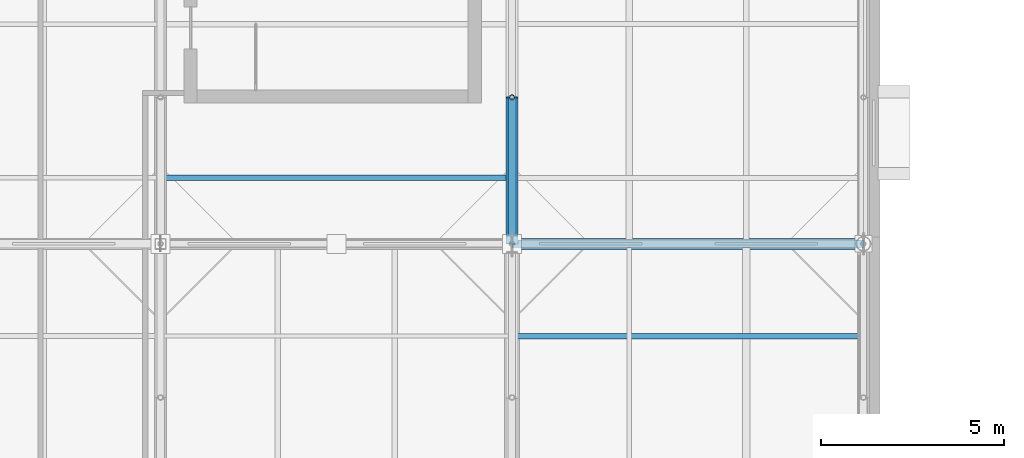
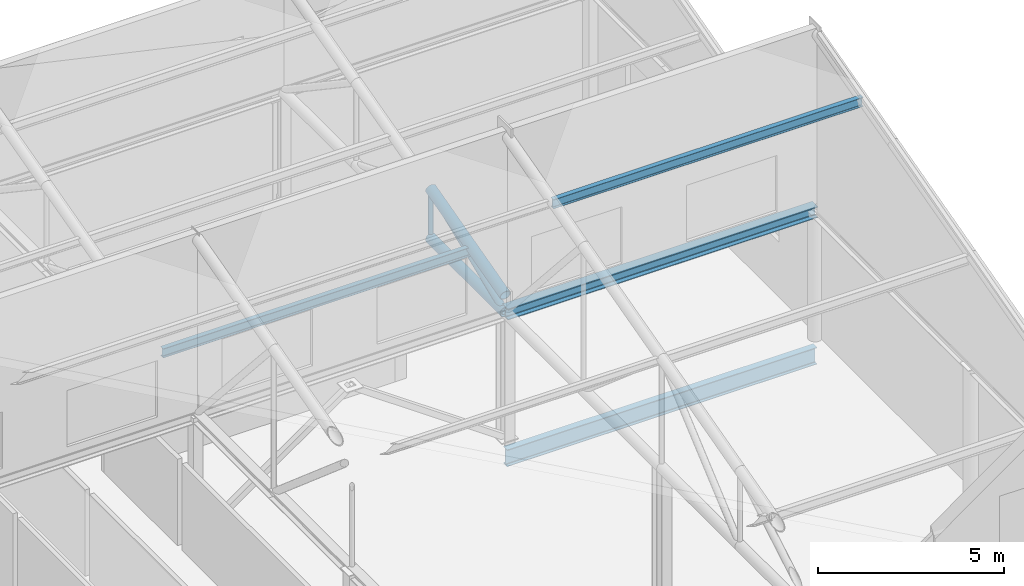
# One storey, part 53 of 89: 6 members, 2 beams.
"""IFC4 building model written with IfcOpenShell, lengths in metres."""

from ifc_helpers import new_model, si_unit, direction, frame, origin, origin_2d, place, context, subcontext, project, spatial, hollow_circle, i_section, extrude, material, material_profile, profile_set, type_object, element, save


model = new_model("IFC4")

# Units and contexts
model_context = context("Model", 3, precision=1e-05, world=origin(), true_north=direction((0.0, 1.0)))
body_context = subcontext(model_context, "Body", "Model", "MODEL_VIEW")
ifc_project = project(units=[si_unit("LENGTHUNIT", "METRE"), si_unit("AREAUNIT", "SQUARE_METRE"), si_unit("VOLUMEUNIT", "CUBIC_METRE"), si_unit("PLANEANGLEUNIT", "RADIAN"), si_unit("MASSUNIT", "GRAM", prefix="KILO")], contexts=[model_context])

# Site, building, storey
site_placement = place(None, origin())
site = spatial("IfcSite", under=ifc_project, at=site_placement, CompositionType="ELEMENT")
building_placement = place(site_placement, origin())
building = spatial("IfcBuilding", under=site, at=building_placement, Name="Zereglee Splitstone Museum", CompositionType="ELEMENT")
storey_placement = place(building_placement, frame((0.0, 0.0, 21.300048828125)))
storey = spatial("IfcBuildingStorey", under=building, at=storey_placement, Name="L04", CompositionType="ELEMENT", Elevation=21.300048828125)

# Members
ifc_material_1 = material(Name="Steel S355J2H", Category="steel")
ifc_material_profile_1 = material_profile(ifc_material_1, hollow_circle(Radius=0.109619140625, WallThickness=0.010009765625, at=origin_2d()), Name="CHS 219.1x10")
ifc_profile_set_1 = profile_set([ifc_material_profile_1], Name="Steel S355J2H")
member_type_1 = type_object("IfcMemberType", Name="TB-03", PredefinedType="BRACE", material=ifc_profile_set_1)
member_1_placement = place(storey_placement, frame((135.60009765625, 38.39990234375, 4.199951171875), z_axis=(0.0, 0.927136001435, 0.374725012299), x_axis=(-1.0, 0.0, 0.0)))
element("IfcMember", 1, at=member_1_placement, inside=storey, type_object=member_type_1, Name="Roof Truss ST-07 Diagonal 3.1", PredefinedType="BRACE", context=body_context, shape_type="SweptSolid", body=[
    extrude(hollow_circle(Radius=0.109619140625, WallThickness=0.010009765625, at=origin_2d()), origin(), (0.0, 0.0, 1.0), 4.314453125),
])
ifc_material_profile_2 = material_profile(ifc_material_1, hollow_circle(Radius=0.161865234375, WallThickness=0.01611328125, at=origin_2d()), Name="CHS 323.9x16")
ifc_profile_set_2 = profile_set([ifc_material_profile_2], Name="Steel S355J2H")
member_type_2 = type_object("IfcMemberType", Name="TC-05", PredefinedType="CHORD", material=ifc_profile_set_2)
member_2_placement = place(storey_placement, frame((135.60009765625, 38.39990234375, 4.199951171875), z_axis=(0.0, 1.0, 0.0), x_axis=(-1.0, 0.0, 0.0)))
element("IfcMember", 2, at=member_2_placement, inside=storey, type_object=member_type_2, Name="Roof Truss ST-07 Bottom Chord 3.1", PredefinedType="CHORD", context=body_context, shape_type="SweptSolid", body=[
    extrude(hollow_circle(Radius=0.161865234375, WallThickness=0.01611328125, at=origin_2d()), origin(), (0.0, 0.0, 1.0), 4.0),
])
member_3_placement = place(storey_placement, frame((135.60009765625, 38.39990234375, 4.75), z_axis=(0.0, 0.966235918422, 0.257658979955), x_axis=(-1.0, 0.0, 0.0)))
element("IfcMember", 3, at=member_3_placement, inside=storey, type_object=member_type_2, Name="Roof Truss ST-07 Top Chord 3.1", PredefinedType="CHORD", context=body_context, shape_type="SweptSolid", body=[
    extrude(hollow_circle(Radius=0.161865234375, WallThickness=0.01611328125, at=origin_2d()), origin(), (0.0, 0.0, 1.0), 4.139892578125),
])

# Beams
ifc_material_2 = material(Name="Steel S355J2", Category="steel")
ifc_material_profile_3 = material_profile(ifc_material_2, i_section(OverallWidth=0.300048828125, OverallDepth=0.360107421875, WebThickness=0.012451171875, FlangeThickness=0.0224609375, FilletRadius=0.027099609375, at=origin_2d()), Name="HE 360 B")
ifc_profile_set_3 = profile_set([ifc_material_profile_3], Name="Steel S355J2")
beam_type_1 = type_object("IfcBeamType", Name="BG-14", PredefinedType="BEAM", material=ifc_profile_set_3)
beam_1_placement = place(storey_placement, frame((135.60009765625, 38.39990234375, 4.199951171875), z_axis=(1.0, 0.0, 0.0), x_axis=(0.0, 1.0, 0.0)))
element("IfcBeam", 4, at=beam_1_placement, inside=storey, type_object=beam_type_1, Name="Sawtooth Monitor Sill Beam B7-S2", PredefinedType="BEAM", context=body_context, shape_type="SweptSolid", body=[
    extrude(i_section(OverallWidth=0.300048828125, OverallDepth=0.360107421875, WebThickness=0.012451171875, FlangeThickness=0.0224609375, FilletRadius=0.027099609375, at=origin_2d()), origin(), (0.0, 0.0, 1.0), 9.599853515625),
])
ifc_material_profile_4 = material_profile(ifc_material_2, i_section(OverallWidth=0.2099609375, OverallDepth=0.550048828125, WebThickness=0.010986328125, FlangeThickness=0.01708984375, FilletRadius=0.02392578125, at=origin_2d()), Name="IPE 550")
ifc_profile_set_4 = profile_set([ifc_material_profile_4], Name="Steel S355J2")
beam_type_2 = type_object("IfcBeamType", Name="BG-16", PredefinedType="BEAM", material=ifc_profile_set_4)
beam_2_placement = place(storey_placement, frame((135.60009765625, 38.39990234375, -0.53515625), z_axis=(1.0, 0.0, 0.0), x_axis=(0.0, 1.0, 0.0)))
element("IfcBeam", 5, at=beam_2_placement, inside=storey, type_object=beam_type_2, Name="Primary Girder L04 E (135.6-145.2)", PredefinedType="BEAM", context=body_context, shape_type="SweptSolid", body=[
    extrude(i_section(OverallWidth=0.2099609375, OverallDepth=0.550048828125, WebThickness=0.010986328125, FlangeThickness=0.01708984375, FilletRadius=0.02392578125, at=origin_2d()), origin(), (0.0, 0.0, 1.0), 9.599853515625),
])

# Members
ifc_material_profile_5 = material_profile(ifc_material_1, hollow_circle(Radius=0.06982421875, WallThickness=0.008056640625, at=origin_2d()), Name="CHS 139.7x8")
ifc_profile_set_5 = profile_set([ifc_material_profile_5], Name="Steel S355J2H")
member_type_3 = type_object("IfcMemberType", Name="TP-03", PredefinedType="POST", material=ifc_profile_set_5)
member_4_placement = place(storey_placement, frame((135.60009765625, 42.39990234375, 4.199951171875), z_axis=(0.0, 0.0, 1.0), x_axis=(1.0, 0.0, 0.0)))
element("IfcMember", 6, at=member_4_placement, inside=storey, type_object=member_type_3, Name="Roof Truss ST-07 Post 3.1", PredefinedType="POST", context=body_context, shape_type="SweptSolid", body=[
    extrude(hollow_circle(Radius=0.06982421875, WallThickness=0.008056640625, at=origin_2d()), origin(), (0.0, 0.0, 1.0), 1.61669921875),
])
ifc_material_profile_6 = material_profile(ifc_material_2, i_section(OverallWidth=0.14990234375, OverallDepth=0.300048828125, WebThickness=0.007080078125, FlangeThickness=0.0107421875, FilletRadius=0.014892578125, at=origin_2d()), Name="IPE 300")
ifc_profile_set_6 = profile_set([ifc_material_profile_6], Name="Steel S355J2")
member_type_4 = type_object("IfcMemberType", Name="PR-01", PredefinedType="PURLIN", material=ifc_profile_set_6)
member_5_placement = place(storey_placement, frame((126.0, 40.199951171875, 5.153076171875), z_axis=(1.0, 0.0, 0.0), x_axis=(0.0, 1.0, 0.0)))
element("IfcMember", 7, at=member_5_placement, inside=storey, type_object=member_type_4, Name="Sawtooth Roof Purlin B6-S3-1", PredefinedType="PURLIN", context=body_context, shape_type="SweptSolid", body=[
    extrude(i_section(OverallWidth=0.14990234375, OverallDepth=0.300048828125, WebThickness=0.007080078125, FlangeThickness=0.0107421875, FilletRadius=0.014892578125, at=origin_2d()), origin(), (0.0, 0.0, 1.0), 9.60009765625),
])
member_6_placement = place(storey_placement, frame((135.60009765625, 35.8798828125, 9.298095703125), z_axis=(1.0, 0.0, 0.0), x_axis=(0.0, 1.0, 0.0)))
element("IfcMember", 8, at=member_6_placement, inside=storey, type_object=member_type_4, Name="Sawtooth Roof Purlin B7-S2-3", PredefinedType="PURLIN", context=body_context, shape_type="SweptSolid", body=[
    extrude(i_section(OverallWidth=0.14990234375, OverallDepth=0.300048828125, WebThickness=0.007080078125, FlangeThickness=0.0107421875, FilletRadius=0.014892578125, at=origin_2d()), origin(), (0.0, 0.0, 1.0), 9.599853515625),
])

save(model, "model.ifc")
